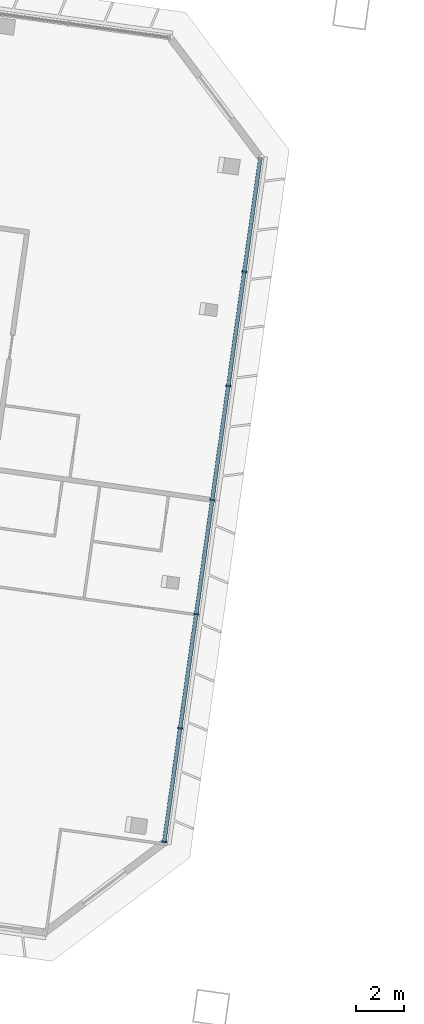
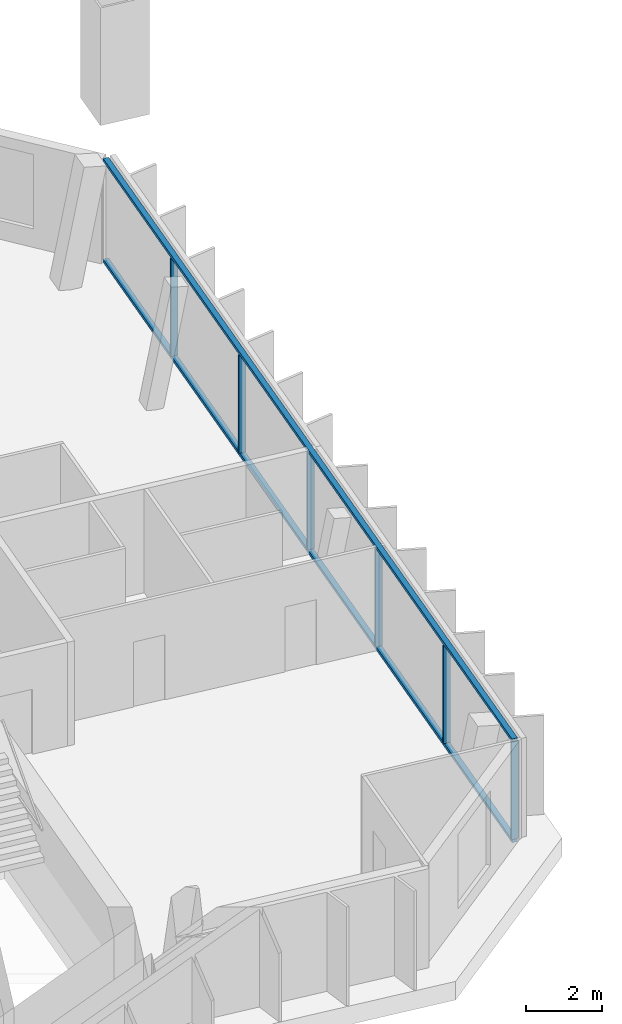
# One storey, part 3 of 19: 8 members, 1 element without a shape of its own.
"""IFC4 building model written with IfcOpenShell, lengths in metres."""

import ifcopenshell
import ifcopenshell.guid

model = None  # the IFC model being written
_history = None  # IfcOwnerHistory: only IFC2X3 demands one
_inside = {}  # id of a spatial element -> (the spatial element, [elements in it])
_under = {}  # id of a project, library or spatial element -> (it, [spatial elements below it])
_declared = {}  # id of a project -> (the project, [libraries it declares])
_typed = {}  # id of a type object -> (the type object, [elements of that type])
_made_of = {}  # id of a material, layer set ... -> (it, [elements and type objects made of it])


def new_model(schema):
    """Start an empty IFC model of exactly this schema.

    Asked for "IFC4X3", IfcOpenShell would pick the latest addendum, in which some entities
    have other attributes; the version numbers below select the first issue.
    IFC2X3 requires an IfcOwnerHistory on every rooted entity: one is made here for all.
    """
    global model, _history
    if schema == "IFC4X3":
        model = ifcopenshell.file(schema_version=(4, 3, 0, 0))
    else:
        model = ifcopenshell.file(schema=schema)
    _inside.clear()
    _under.clear()
    _declared.clear()
    _typed.clear()
    _made_of.clear()
    _history = None
    if model.schema == "IFC2X3":
        org = make("IfcOrganization", Name="unknown")
        user = make(
            "IfcPersonAndOrganization",
            ThePerson=make("IfcPerson", FamilyName="unknown"),
            TheOrganization=org,
        )
        app = make(
            "IfcApplication",
            ApplicationDeveloper=org,
            Version="unknown",
            ApplicationFullName="unknown",
            ApplicationIdentifier="unknown",
        )
        _history = make(
            "IfcOwnerHistory",
            OwningUser=user,
            OwningApplication=app,
            ChangeAction="ADDED",
            CreationDate=0,
        )
    return model


def make(cls, **values):
    """One entity of the class cls with the attributes given. An attribute that is None is left unset."""
    return model.create_entity(
        cls, **{name: value for name, value in values.items() if value is not None}
    )


def rooted(cls, **values):
    """An entity with a GlobalId (a new one), such as an element, a storey or a relation."""
    return make(cls, GlobalId=ifcopenshell.guid.new(), OwnerHistory=_history, **values)


def si_unit(unit_type, name, prefix=None):
    """IfcSIUnit, for example si_unit("LENGTHUNIT", "METRE", prefix="MILLI")."""
    return make("IfcSIUnit", UnitType=unit_type, Prefix=prefix, Name=name)


def assignment(units):
    """IfcUnitAssignment: the units of a project."""
    return None if units is None else make("IfcUnitAssignment", Units=units)


def point(xyz):
    """IfcCartesianPoint."""
    return None if xyz is None else make("IfcCartesianPoint", Coordinates=xyz)


def direction(xyz):
    """IfcDirection."""
    return None if xyz is None else make("IfcDirection", DirectionRatios=xyz)


def frame(location, z_axis=None, x_axis=None):
    """IfcAxis2Placement3D, a coordinate frame: its origin and axes. An axis left out is left unset."""
    return make(
        "IfcAxis2Placement3D",
        Location=point(location),
        Axis=direction(z_axis),
        RefDirection=direction(x_axis),
    )


def frame_2d(location, x_axis=None):
    """IfcAxis2Placement2D, a coordinate frame in the plane: its origin and x axis."""
    return make(
        "IfcAxis2Placement2D", Location=point(location), RefDirection=direction(x_axis)
    )


def origin():
    """The frame at (0, 0, 0) with its axes left unset."""
    return frame((0.0, 0.0, 0.0))


def origin_2d():
    """The frame at (0, 0) in the plane with its x axis left unset."""
    return frame_2d((0.0, 0.0))


def place(relative_to, where):
    """IfcLocalPlacement: puts the frame where relative to a parent placement (None: the world)."""
    return make(
        "IfcLocalPlacement", PlacementRelTo=relative_to, RelativePlacement=where
    )


def context(
    kind, dimensions, precision=None, world=None, true_north=None, identifier=None
):
    """IfcGeometricRepresentationContext, for example the 3D "Model" context."""
    return make(
        "IfcGeometricRepresentationContext",
        ContextIdentifier=identifier,
        ContextType=kind,
        CoordinateSpaceDimension=dimensions,
        Precision=precision,
        WorldCoordinateSystem=world,
        TrueNorth=true_north,
    )


def subcontext(parent, identifier, kind, view, scale=None):
    """IfcGeometricRepresentationSubContext, for example "Body" below "Model"."""
    return make(
        "IfcGeometricRepresentationSubContext",
        ContextIdentifier=identifier,
        ContextType=kind,
        ParentContext=parent,
        TargetScale=scale,
        TargetView=view,
    )


def project(units=None, contexts=None):
    """IfcProject with its units and contexts."""
    return rooted(
        "IfcProject",
        Name="project",
        RepresentationContexts=contexts,
        UnitsInContext=assignment(units),
    )


def spatial(cls, under=None, at=None, **own):
    """A site, building, storey or space (cls), placed at a placement, below another one or the project."""
    s = rooted(cls, ObjectPlacement=at, **own)
    if under is not None:
        _under.setdefault(under.id(), (under, []))[1].append(s)
    return s


def profile(cls, at=None, kind="AREA", **sizes):
    """A parametric profile (cls). Its sizes go by their IFC names, for example OverallWidth=200.0."""
    return make(cls, ProfileType=kind, Position=at, **sizes)


def rectangle(**sizes):
    """IfcRectangleProfileDef."""
    return profile("IfcRectangleProfileDef", **sizes)


def extrude(swept, where, along, depth):
    """IfcExtrudedAreaSolid: the profile swept, set in the frame where, extruded along a direction by depth."""
    return make(
        "IfcExtrudedAreaSolid",
        SweptArea=swept,
        Position=where,
        ExtrudedDirection=direction(along),
        Depth=depth,
    )


def shape(context_of_items, identifier, shape_type, items):
    """IfcShapeRepresentation: the items that make up one representation, for example the "Body"."""
    return make(
        "IfcShapeRepresentation",
        ContextOfItems=context_of_items,
        RepresentationIdentifier=identifier,
        RepresentationType=shape_type,
        Items=items,
    )


def material(Name=None, Category=None):
    """IfcMaterial."""
    return make("IfcMaterial", Name=Name, Category=Category)


def material_profile(
    of_material, cross_section, Name=None, Category=None, Priority=None
):
    """IfcMaterialProfile: a cross section and its material."""
    return make(
        "IfcMaterialProfile",
        Name=Name,
        Material=of_material,
        Profile=cross_section,
        Priority=Priority,
        Category=Category,
    )


def profile_set(profiles, Name=None, composite=None):
    """IfcMaterialProfileSet."""
    return make(
        "IfcMaterialProfileSet",
        Name=Name,
        MaterialProfiles=profiles,
        CompositeProfile=composite,
    )


def made_of(thing, what):
    """Note that an element or type object is made of a material, layer set ...; save() writes the relation."""
    if what is not None:
        _made_of.setdefault(what.id(), (what, []))[1].append(thing)
    return thing


def type_object(cls, material=None, **own):
    """A type object (cls), such as IfcWallType, which elements share."""
    return made_of(rooted(cls, **own), material)


def element(
    cls,
    number,
    at=None,
    inside=None,
    cuts=None,
    type_object=None,
    material=None,
    context=None,
    identifier="Body",
    shape_type=None,
    held_by="IfcProductDefinitionShape",
    body=None,
    shapes=None,
    **own,
):
    """One element of the class cls, such as IfcWall. Its Tag is "e" and its number.

    at: its placement. inside: the storey or other place that contains it. cuts: it is an
    opening in that element (IfcRelVoidsElement). A single representation is given by context,
    identifier, shape_type and body (its items); several are given by shapes. held_by: the class
    of the entity that holds the representations. save() writes the other relations.
    """
    e = rooted(cls, Tag="e%d" % number, ObjectPlacement=at, **own)
    if body is not None:
        shapes = [shape(context, identifier, shape_type, body)]
    if shapes is not None:
        e.Representation = make(held_by, Representations=shapes)
    if inside is not None:
        _inside.setdefault(inside.id(), (inside, []))[1].append(e)
    if cuts is not None:
        rooted(
            "IfcRelVoidsElement", RelatingBuildingElement=cuts, RelatedOpeningElement=e
        )
    if type_object is not None:
        _typed.setdefault(type_object.id(), (type_object, []))[1].append(e)
    return made_of(e, material)


def aggregate(whole, parts):
    """IfcRelAggregates: a whole, such as a stair, and the parts it consists of."""
    return rooted("IfcRelAggregates", RelatingObject=whole, RelatedObjects=parts)


def save(model, path):
    """Write the relations noted so far, then the file.

    IfcRelAggregates (storeys below a building ...), IfcRelContainedInSpatialStructure (elements
    in a storey), IfcRelDefinesByType, IfcRelAssociatesMaterial and IfcRelDeclares: one each for
    every whole, place, type object, material and project.
    """
    for whole, parts in _under.values():
        aggregate(whole, parts)
    for where, things in _inside.values():
        rooted(
            "IfcRelContainedInSpatialStructure",
            RelatedElements=things,
            RelatingStructure=where,
        )
    for kind, things in _typed.values():
        rooted("IfcRelDefinesByType", RelatedObjects=things, RelatingType=kind)
    for what, things in _made_of.values():
        rooted("IfcRelAssociatesMaterial", RelatedObjects=things, RelatingMaterial=what)
    for by, libraries in _declared.values():
        rooted("IfcRelDeclares", RelatingContext=by, RelatedDefinitions=libraries)
    model.write(path)


model = new_model("IFC4")

# Units and contexts
model_context = context("Model", 3, precision=1e-05, world=origin(), true_north=direction((0.0, 1.0)))
body_context = subcontext(model_context, "Body", "Model", "MODEL_VIEW")
ifc_project = project(units=[si_unit("LENGTHUNIT", "METRE"), si_unit("AREAUNIT", "SQUARE_METRE"), si_unit("VOLUMEUNIT", "CUBIC_METRE"), si_unit("PLANEANGLEUNIT", "RADIAN"), si_unit("MASSUNIT", "GRAM", prefix="KILO")], contexts=[model_context])

# Site, building, storey
site_placement = place(None, origin())
site = spatial("IfcSite", under=ifc_project, at=site_placement, CompositionType="ELEMENT")
building_placement = place(site_placement, origin())
building = spatial("IfcBuilding", under=site, at=building_placement, Name="Mirante Cascada Hotel Towers", CompositionType="ELEMENT")
storey_placement = place(building_placement, frame((0.0, 0.0, 231.8)))
storey = spatial("IfcBuildingStorey", under=building, at=storey_placement, Name="L55", CompositionType="ELEMENT", Elevation=231.8)

# Curtain wall, members
ifc_material_1 = material(Name="Aluminium mullion and transom frame with clear laminated glass", Category="aluminium")
curtain_wall_type = type_object("IfcCurtainWallType", Name="End ribbon curtain wall ECW2", PredefinedType="NOTDEFINED", material=ifc_material_1)
curtain_wall_placement = place(storey_placement, origin())
curtain_wall = element("IfcCurtainWall", 1, at=curtain_wall_placement, inside=storey, type_object=curtain_wall_type, Name="Inner end wall T1 L55", PredefinedType="NOTDEFINED")
ifc_material_2 = material(Name="Anodised aluminium extrusion", Category="aluminium")
ifc_material_profile_1 = material_profile(ifc_material_2, rectangle(XDim=0.2, YDim=0.065, at=origin_2d()), Name="ECW2 MULLION 65x200")
ifc_profile_set_1 = profile_set([ifc_material_profile_1], Name="Anodised aluminium extrusion")
member_type_1 = type_object("IfcMemberType", Name="ECW2 mullion 65x200", PredefinedType="MULLION", material=ifc_profile_set_1)
member_1_placement = place(storey_placement, frame((-21.2238, 6.4864, 0.1), z_axis=(0.0, 0.0, 1.0), x_axis=(0.9902681, -0.1391731, 0.0)))
member_1 = element("IfcMember", 2, at=member_1_placement, type_object=member_type_1, Name="ECW2 mullion 2", PredefinedType="MULLION", context=body_context, shape_type="SweptSolid", body=[
    extrude(rectangle(XDim=0.2, YDim=0.065, at=origin_2d()), origin(), (0.0, 0.0, 1.0), 3.15),
])
member_2_placement = place(storey_placement, frame((-21.8936, 1.7206, 0.1), z_axis=(0.0, 0.0, 1.0), x_axis=(0.9902681, -0.1391731, 0.0)))
member_2 = element("IfcMember", 3, at=member_2_placement, type_object=member_type_1, Name="ECW2 mullion 3", PredefinedType="MULLION", context=body_context, shape_type="SweptSolid", body=[
    extrude(rectangle(XDim=0.2, YDim=0.065, at=origin_2d()), origin(), (0.0, 0.0, 1.0), 3.15),
])
member_3_placement = place(storey_placement, frame((-22.5634, -3.0451, 0.1), z_axis=(0.0, 0.0, 1.0), x_axis=(0.9902681, -0.1391731, 0.0)))
member_3 = element("IfcMember", 4, at=member_3_placement, type_object=member_type_1, Name="ECW2 mullion 4", PredefinedType="MULLION", context=body_context, shape_type="SweptSolid", body=[
    extrude(rectangle(XDim=0.2, YDim=0.065, at=origin_2d()), origin(), (0.0, 0.0, 1.0), 3.15),
])
member_4_placement = place(storey_placement, frame((-23.2332, -7.8109, 0.1), z_axis=(0.0, 0.0, 1.0), x_axis=(0.9902681, -0.1391731, 0.0)))
member_4 = element("IfcMember", 5, at=member_4_placement, type_object=member_type_1, Name="ECW2 mullion 5", PredefinedType="MULLION", context=body_context, shape_type="SweptSolid", body=[
    extrude(rectangle(XDim=0.2, YDim=0.065, at=origin_2d()), origin(), (0.0, 0.0, 1.0), 3.15),
])
member_5_placement = place(storey_placement, frame((-23.903, -12.5767, 0.1), z_axis=(0.0, 0.0, 1.0), x_axis=(0.9902681, -0.1391731, 0.0)))
member_5 = element("IfcMember", 6, at=member_5_placement, type_object=member_type_1, Name="ECW2 mullion 6", PredefinedType="MULLION", context=body_context, shape_type="SweptSolid", body=[
    extrude(rectangle(XDim=0.2, YDim=0.065, at=origin_2d()), origin(), (0.0, 0.0, 1.0), 3.15),
])
member_6_placement = place(storey_placement, frame((-24.5682, -17.3103, 0.1), z_axis=(0.0, 0.0, 1.0), x_axis=(0.9902681, -0.1391731, 0.0)))
member_6 = element("IfcMember", 7, at=member_6_placement, type_object=member_type_1, Name="ECW2 mullion 7", PredefinedType="MULLION", context=body_context, shape_type="SweptSolid", body=[
    extrude(rectangle(XDim=0.2, YDim=0.065, at=origin_2d()), origin(), (0.0, 0.0, 1.0), 3.15),
])
ifc_material_3 = material(Name="Anodised aluminium extrusion", Category="aluminium")
ifc_material_profile_2 = material_profile(ifc_material_3, rectangle(XDim=0.16, YDim=0.1, at=origin_2d()), Name="ECW2 TRANSOM 100x160")
ifc_profile_set_2 = profile_set([ifc_material_profile_2], Name="Anodised aluminium extrusion")
member_type_2 = type_object("IfcMemberType", Name="ECW2 transom 100x160", PredefinedType="USERDEFINED", material=ifc_profile_set_2)
member_7_placement = place(storey_placement, frame((-20.554, 11.2522, 0.05), z_axis=(-0.1391757, -0.9902677, 0.0), x_axis=(0.9902677, -0.1391757, 0.0)))
member_7 = element("IfcMember", 8, at=member_7_placement, type_object=member_type_2, Name="ECW2 sill transom", ObjectType="TRANSOM", PredefinedType="USERDEFINED", context=body_context, shape_type="SweptSolid", body=[
    extrude(rectangle(XDim=0.16, YDim=0.1, at=origin_2d()), origin(), (0.0, 0.0, 1.0), 28.8757),
])
member_8_placement = place(storey_placement, frame((-20.554, 11.2522, 3.3), z_axis=(-0.1391757, -0.9902677, 0.0), x_axis=(0.9902677, -0.1391757, 0.0)))
member_8 = element("IfcMember", 9, at=member_8_placement, type_object=member_type_2, Name="ECW2 head transom", ObjectType="TRANSOM", PredefinedType="USERDEFINED", context=body_context, shape_type="SweptSolid", body=[
    extrude(rectangle(XDim=0.16, YDim=0.1, at=origin_2d()), origin(), (0.0, 0.0, 1.0), 28.8757),
])
aggregate(curtain_wall, [member_7, member_8, member_1, member_2, member_3, member_4, member_5, member_6])

save(model, "model.ifc")
